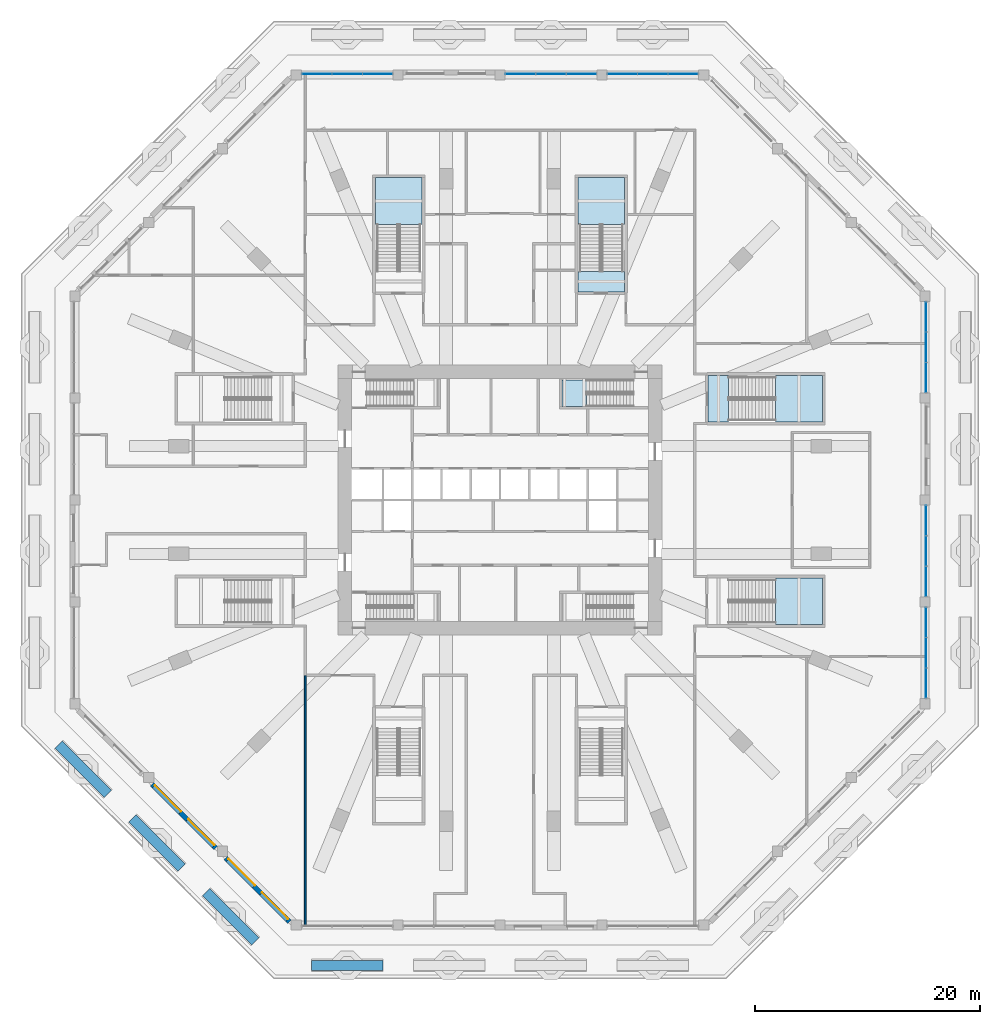
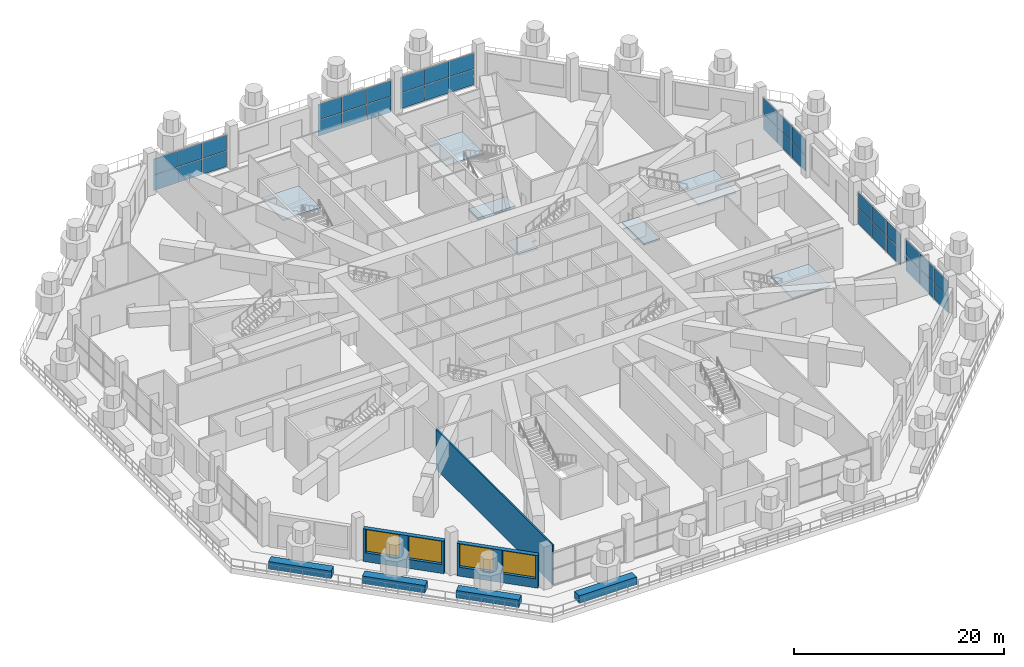
# One storey, part 13 of 25: 36 plates, 7 slabs, 7 walls, 4 windows, 4 openings, 11 elements without a shape of their own.
"""IFC4 building model written with IfcOpenShell, lengths in metres."""

from ifc_helpers import new_model, si_unit, direction, frame, frame_2d, origin, origin_2d, place, context, subcontext, project, spatial, polyline, rectangle, outline, extrude, material, layer, layer_set, type_object, element, fill, aggregate, save


model = new_model("IFC4")

# Units and contexts
model_context = context("Model", 3, precision=1e-05, world=origin(), true_north=direction((0.0, 1.0)))
body_context = subcontext(model_context, "Body", "Model", "MODEL_VIEW")
ifc_project = project(units=[si_unit("LENGTHUNIT", "METRE"), si_unit("AREAUNIT", "SQUARE_METRE"), si_unit("VOLUMEUNIT", "CUBIC_METRE"), si_unit("PLANEANGLEUNIT", "RADIAN"), si_unit("MASSUNIT", "GRAM", prefix="KILO")], contexts=[model_context])

# Site, building, storey
site_placement = place(None, origin())
site = spatial("IfcSite", under=ifc_project, at=site_placement, CompositionType="ELEMENT")
building_placement = place(site_placement, origin())
building = spatial("IfcBuilding", under=site, at=building_placement, Name="Msitu Wima Residences", CompositionType="ELEMENT")
storey_placement = place(building_placement, frame((0.0, 0.0, 11.0)))
storey = spatial("IfcBuildingStorey", under=building, at=storey_placement, Name="L02", CompositionType="ELEMENT", Elevation=11.0)

# Curtain wall, plates
ifc_material_1 = material(Name="Anodised aluminium, bronze finish, clear low-emissivity double glazing", Category="aluminium")
curtain_wall_type = type_object("IfcCurtainWallType", Name="Curtain wall CW6 podium winter garden", PredefinedType="NOTDEFINED", material=ifc_material_1)
curtain_wall_1_placement = place(storey_placement, origin())
curtain_wall_1 = element("IfcCurtainWall", 1, at=curtain_wall_1_placement, inside=storey, type_object=curtain_wall_type, Name="Curtain wall CW6 L02 E0", PredefinedType="NOTDEFINED")
ifc_material_2 = material(Name="Clear low-emissivity double glazing", Category="glass")
ifc_layer_1 = layer(ifc_material_2, 0.035888671875)
ifc_layer_set_1 = layer_set([ifc_layer_1], Name="Clear low-emissivity double glazing")
plate_type = type_object("IfcPlateType", Name="Glass panel CW6 36", PredefinedType="CURTAIN_PANEL", material=ifc_layer_set_1)
plate_1_placement = place(storey_placement, frame((37.89990234375, -16.301025390625, 0.06494140625), z_axis=(0.0, 0.0, 1.0), x_axis=(0.0, 1.0, 0.0)))
plate_1 = element("IfcPlate", 2, at=plate_1_placement, type_object=plate_type, Name="CW6 panel 1.1", PredefinedType="CURTAIN_PANEL", context=body_context, shape_type="SweptSolid", body=[
    extrude(rectangle(XDim=2.623779296875, YDim=0.035888671875, at=origin_2d()), origin(), (0.0, 0.0, 1.0), 1.802490234375),
])
plate_2_placement = place(storey_placement, frame((37.89990234375, -16.301025390625, 1.9326171875), z_axis=(0.0, 0.0, 1.0), x_axis=(0.0, 1.0, 0.0)))
plate_2 = element("IfcPlate", 3, at=plate_2_placement, type_object=plate_type, Name="CW6 panel 1.2", PredefinedType="CURTAIN_PANEL", context=body_context, shape_type="SweptSolid", body=[
    extrude(rectangle(XDim=2.623779296875, YDim=0.035888671875, at=origin_2d()), origin(), (0.0, 0.0, 1.0), 1.802490234375),
])
plate_3_placement = place(storey_placement, frame((37.89990234375, -13.595947265625, 0.06494140625), z_axis=(0.0, 0.0, 1.0), x_axis=(0.0, 1.0, 0.0)))
plate_3 = element("IfcPlate", 4, at=plate_3_placement, type_object=plate_type, Name="CW6 panel 2.1", PredefinedType="CURTAIN_PANEL", context=body_context, shape_type="SweptSolid", body=[
    extrude(rectangle(XDim=2.65625, YDim=0.035888671875, at=origin_2d()), origin(), (0.0, 0.0, 1.0), 1.802490234375),
])
plate_4_placement = place(storey_placement, frame((37.89990234375, -13.595947265625, 1.9326171875), z_axis=(0.0, 0.0, 1.0), x_axis=(0.0, 1.0, 0.0)))
plate_4 = element("IfcPlate", 5, at=plate_4_placement, type_object=plate_type, Name="CW6 panel 2.2", PredefinedType="CURTAIN_PANEL", context=body_context, shape_type="SweptSolid", body=[
    extrude(rectangle(XDim=2.65625, YDim=0.035888671875, at=origin_2d()), origin(), (0.0, 0.0, 1.0), 1.802490234375),
])
plate_5_placement = place(storey_placement, frame((37.89990234375, -10.890869140625, 0.06494140625), z_axis=(0.0, 0.0, 1.0), x_axis=(0.0, 1.0, 0.0)))
plate_5 = element("IfcPlate", 6, at=plate_5_placement, type_object=plate_type, Name="CW6 panel 3.1", PredefinedType="CURTAIN_PANEL", context=body_context, shape_type="SweptSolid", body=[
    extrude(rectangle(XDim=2.623779296875, YDim=0.035888671875, at=origin_2d()), origin(), (0.0, 0.0, 1.0), 1.802490234375),
])
plate_6_placement = place(storey_placement, frame((37.89990234375, -10.890869140625, 1.9326171875), z_axis=(0.0, 0.0, 1.0), x_axis=(0.0, 1.0, 0.0)))
plate_6 = element("IfcPlate", 7, at=plate_6_placement, type_object=plate_type, Name="CW6 panel 3.2", PredefinedType="CURTAIN_PANEL", context=body_context, shape_type="SweptSolid", body=[
    extrude(rectangle(XDim=2.623779296875, YDim=0.035888671875, at=origin_2d()), origin(), (0.0, 0.0, 1.0), 1.802490234375),
])
aggregate(curtain_wall_1, [plate_1, plate_2, plate_3, plate_4, plate_5, plate_6])

curtain_wall_2_placement = place(storey_placement, origin())
curtain_wall_2 = element("IfcCurtainWall", 8, at=curtain_wall_2_placement, inside=storey, type_object=curtain_wall_type, Name="Curtain wall CW6 L02 E1", PredefinedType="NOTDEFINED")
plate_7_placement = place(storey_placement, frame((37.89990234375, -7.237060546875, 0.06494140625), z_axis=(0.0, 0.0, 1.0), x_axis=(0.0, 1.0, 0.0)))
plate_7 = element("IfcPlate", 9, at=plate_7_placement, type_object=plate_type, Name="CW6 panel 1.1", PredefinedType="CURTAIN_PANEL", context=body_context, shape_type="SweptSolid", body=[
    extrude(rectangle(XDim=2.623779296875, YDim=0.035888671875, at=origin_2d()), origin(), (0.0, 0.0, 1.0), 1.802490234375),
])
plate_8_placement = place(storey_placement, frame((37.89990234375, -7.237060546875, 1.9326171875), z_axis=(0.0, 0.0, 1.0), x_axis=(0.0, 1.0, 0.0)))
plate_8 = element("IfcPlate", 10, at=plate_8_placement, type_object=plate_type, Name="CW6 panel 1.2", PredefinedType="CURTAIN_PANEL", context=body_context, shape_type="SweptSolid", body=[
    extrude(rectangle(XDim=2.623779296875, YDim=0.035888671875, at=origin_2d()), origin(), (0.0, 0.0, 1.0), 1.802490234375),
])
plate_9_placement = place(storey_placement, frame((37.89990234375, -4.531982421875, 0.06494140625), z_axis=(0.0, 0.0, 1.0), x_axis=(0.0, 1.0, 0.0)))
plate_9 = element("IfcPlate", 11, at=plate_9_placement, type_object=plate_type, Name="CW6 panel 2.1", PredefinedType="CURTAIN_PANEL", context=body_context, shape_type="SweptSolid", body=[
    extrude(rectangle(XDim=2.65625, YDim=0.035888671875, at=origin_2d()), origin(), (0.0, 0.0, 1.0), 1.802490234375),
])
plate_10_placement = place(storey_placement, frame((37.89990234375, -4.531982421875, 1.9326171875), z_axis=(0.0, 0.0, 1.0), x_axis=(0.0, 1.0, 0.0)))
plate_10 = element("IfcPlate", 12, at=plate_10_placement, type_object=plate_type, Name="CW6 panel 2.2", PredefinedType="CURTAIN_PANEL", context=body_context, shape_type="SweptSolid", body=[
    extrude(rectangle(XDim=2.65625, YDim=0.035888671875, at=origin_2d()), origin(), (0.0, 0.0, 1.0), 1.802490234375),
])
plate_11_placement = place(storey_placement, frame((37.89990234375, -1.826904296875, 0.06494140625), z_axis=(0.0, 0.0, 1.0), x_axis=(0.0, 1.0, 0.0)))
plate_11 = element("IfcPlate", 13, at=plate_11_placement, type_object=plate_type, Name="CW6 panel 3.1", PredefinedType="CURTAIN_PANEL", context=body_context, shape_type="SweptSolid", body=[
    extrude(rectangle(XDim=2.623779296875, YDim=0.035888671875, at=origin_2d()), origin(), (0.0, 0.0, 1.0), 1.802490234375),
])
plate_12_placement = place(storey_placement, frame((37.89990234375, -1.826904296875, 1.9326171875), z_axis=(0.0, 0.0, 1.0), x_axis=(0.0, 1.0, 0.0)))
plate_12 = element("IfcPlate", 14, at=plate_12_placement, type_object=plate_type, Name="CW6 panel 3.2", PredefinedType="CURTAIN_PANEL", context=body_context, shape_type="SweptSolid", body=[
    extrude(rectangle(XDim=2.623779296875, YDim=0.035888671875, at=origin_2d()), origin(), (0.0, 0.0, 1.0), 1.802490234375),
])
aggregate(curtain_wall_2, [plate_7, plate_8, plate_9, plate_10, plate_11, plate_12])

curtain_wall_3_placement = place(storey_placement, origin())
curtain_wall_3 = element("IfcCurtainWall", 15, at=curtain_wall_3_placement, inside=storey, type_object=curtain_wall_type, Name="Curtain wall CW6 L02 E3", PredefinedType="NOTDEFINED")
plate_13_placement = place(storey_placement, frame((37.89990234375, 10.890869140625, 0.06494140625), z_axis=(0.0, 0.0, 1.0), x_axis=(0.0, 1.0, 0.0)))
plate_13 = element("IfcPlate", 16, at=plate_13_placement, type_object=plate_type, Name="CW6 panel 1.1", PredefinedType="CURTAIN_PANEL", context=body_context, shape_type="SweptSolid", body=[
    extrude(rectangle(XDim=2.623779296875, YDim=0.035888671875, at=origin_2d()), origin(), (0.0, 0.0, 1.0), 1.802490234375),
])
plate_14_placement = place(storey_placement, frame((37.89990234375, 10.890869140625, 1.9326171875), z_axis=(0.0, 0.0, 1.0), x_axis=(0.0, 1.0, 0.0)))
plate_14 = element("IfcPlate", 17, at=plate_14_placement, type_object=plate_type, Name="CW6 panel 1.2", PredefinedType="CURTAIN_PANEL", context=body_context, shape_type="SweptSolid", body=[
    extrude(rectangle(XDim=2.623779296875, YDim=0.035888671875, at=origin_2d()), origin(), (0.0, 0.0, 1.0), 1.802490234375),
])
plate_15_placement = place(storey_placement, frame((37.89990234375, 13.595947265625, 0.06494140625), z_axis=(0.0, 0.0, 1.0), x_axis=(0.0, 1.0, 0.0)))
plate_15 = element("IfcPlate", 18, at=plate_15_placement, type_object=plate_type, Name="CW6 panel 2.1", PredefinedType="CURTAIN_PANEL", context=body_context, shape_type="SweptSolid", body=[
    extrude(rectangle(XDim=2.65625, YDim=0.035888671875, at=origin_2d()), origin(), (0.0, 0.0, 1.0), 1.802490234375),
])
plate_16_placement = place(storey_placement, frame((37.89990234375, 13.595947265625, 1.9326171875), z_axis=(0.0, 0.0, 1.0), x_axis=(0.0, 1.0, 0.0)))
plate_16 = element("IfcPlate", 19, at=plate_16_placement, type_object=plate_type, Name="CW6 panel 2.2", PredefinedType="CURTAIN_PANEL", context=body_context, shape_type="SweptSolid", body=[
    extrude(rectangle(XDim=2.65625, YDim=0.035888671875, at=origin_2d()), origin(), (0.0, 0.0, 1.0), 1.802490234375),
])
plate_17_placement = place(storey_placement, frame((37.89990234375, 16.301025390625, 0.06494140625), z_axis=(0.0, 0.0, 1.0), x_axis=(0.0, 1.0, 0.0)))
plate_17 = element("IfcPlate", 20, at=plate_17_placement, type_object=plate_type, Name="CW6 panel 3.1", PredefinedType="CURTAIN_PANEL", context=body_context, shape_type="SweptSolid", body=[
    extrude(rectangle(XDim=2.623779296875, YDim=0.035888671875, at=origin_2d()), origin(), (0.0, 0.0, 1.0), 1.802490234375),
])
plate_18_placement = place(storey_placement, frame((37.89990234375, 16.301025390625, 1.9326171875), z_axis=(0.0, 0.0, 1.0), x_axis=(0.0, 1.0, 0.0)))
plate_18 = element("IfcPlate", 21, at=plate_18_placement, type_object=plate_type, Name="CW6 panel 3.2", PredefinedType="CURTAIN_PANEL", context=body_context, shape_type="SweptSolid", body=[
    extrude(rectangle(XDim=2.623779296875, YDim=0.035888671875, at=origin_2d()), origin(), (0.0, 0.0, 1.0), 1.802490234375),
])
aggregate(curtain_wall_3, [plate_13, plate_14, plate_15, plate_16, plate_17, plate_18])

curtain_wall_4_placement = place(storey_placement, origin())
curtain_wall_4 = element("IfcCurtainWall", 22, at=curtain_wall_4_placement, inside=storey, type_object=curtain_wall_type, Name="Curtain wall CW6 L02 N0", PredefinedType="NOTDEFINED")
plate_19_placement = place(storey_placement, frame((16.301025390625, 37.89990234375, 0.06494140625), z_axis=(0.0, 0.0, 1.0), x_axis=(-1.0, 0.0, 0.0)))
plate_19 = element("IfcPlate", 23, at=plate_19_placement, type_object=plate_type, Name="CW6 panel 1.1", PredefinedType="CURTAIN_PANEL", context=body_context, shape_type="SweptSolid", body=[
    extrude(rectangle(XDim=2.623779296875, YDim=0.035888671875, at=origin_2d()), origin(), (0.0, 0.0, 1.0), 1.802490234375),
])
plate_20_placement = place(storey_placement, frame((16.301025390625, 37.89990234375, 1.9326171875), z_axis=(0.0, 0.0, 1.0), x_axis=(-1.0, 0.0, 0.0)))
plate_20 = element("IfcPlate", 24, at=plate_20_placement, type_object=plate_type, Name="CW6 panel 1.2", PredefinedType="CURTAIN_PANEL", context=body_context, shape_type="SweptSolid", body=[
    extrude(rectangle(XDim=2.623779296875, YDim=0.035888671875, at=origin_2d()), origin(), (0.0, 0.0, 1.0), 1.802490234375),
])
plate_21_placement = place(storey_placement, frame((13.595947265625, 37.89990234375, 0.06494140625), z_axis=(0.0, 0.0, 1.0), x_axis=(-1.0, 0.0, 0.0)))
plate_21 = element("IfcPlate", 25, at=plate_21_placement, type_object=plate_type, Name="CW6 panel 2.1", PredefinedType="CURTAIN_PANEL", context=body_context, shape_type="SweptSolid", body=[
    extrude(rectangle(XDim=2.65625, YDim=0.035888671875, at=origin_2d()), origin(), (0.0, 0.0, 1.0), 1.802490234375),
])
plate_22_placement = place(storey_placement, frame((13.595947265625, 37.89990234375, 1.9326171875), z_axis=(0.0, 0.0, 1.0), x_axis=(-1.0, 0.0, 0.0)))
plate_22 = element("IfcPlate", 26, at=plate_22_placement, type_object=plate_type, Name="CW6 panel 2.2", PredefinedType="CURTAIN_PANEL", context=body_context, shape_type="SweptSolid", body=[
    extrude(rectangle(XDim=2.65625, YDim=0.035888671875, at=origin_2d()), origin(), (0.0, 0.0, 1.0), 1.802490234375),
])
plate_23_placement = place(storey_placement, frame((10.890869140625, 37.89990234375, 0.06494140625), z_axis=(0.0, 0.0, 1.0), x_axis=(-1.0, 0.0, 0.0)))
plate_23 = element("IfcPlate", 27, at=plate_23_placement, type_object=plate_type, Name="CW6 panel 3.1", PredefinedType="CURTAIN_PANEL", context=body_context, shape_type="SweptSolid", body=[
    extrude(rectangle(XDim=2.623779296875, YDim=0.035888671875, at=origin_2d()), origin(), (0.0, 0.0, 1.0), 1.802490234375),
])
plate_24_placement = place(storey_placement, frame((10.890869140625, 37.89990234375, 1.9326171875), z_axis=(0.0, 0.0, 1.0), x_axis=(-1.0, 0.0, 0.0)))
plate_24 = element("IfcPlate", 28, at=plate_24_placement, type_object=plate_type, Name="CW6 panel 3.2", PredefinedType="CURTAIN_PANEL", context=body_context, shape_type="SweptSolid", body=[
    extrude(rectangle(XDim=2.623779296875, YDim=0.035888671875, at=origin_2d()), origin(), (0.0, 0.0, 1.0), 1.802490234375),
])
aggregate(curtain_wall_4, [plate_19, plate_20, plate_21, plate_22, plate_23, plate_24])

curtain_wall_5_placement = place(storey_placement, origin())
curtain_wall_5 = element("IfcCurtainWall", 29, at=curtain_wall_5_placement, inside=storey, type_object=curtain_wall_type, Name="Curtain wall CW6 L02 N1", PredefinedType="NOTDEFINED")
plate_25_placement = place(storey_placement, frame((7.237060546875, 37.89990234375, 0.06494140625), z_axis=(0.0, 0.0, 1.0), x_axis=(-1.0, 0.0, 0.0)))
plate_25 = element("IfcPlate", 30, at=plate_25_placement, type_object=plate_type, Name="CW6 panel 1.1", PredefinedType="CURTAIN_PANEL", context=body_context, shape_type="SweptSolid", body=[
    extrude(rectangle(XDim=2.623779296875, YDim=0.035888671875, at=origin_2d()), origin(), (0.0, 0.0, 1.0), 1.802490234375),
])
plate_26_placement = place(storey_placement, frame((7.237060546875, 37.89990234375, 1.9326171875), z_axis=(0.0, 0.0, 1.0), x_axis=(-1.0, 0.0, 0.0)))
plate_26 = element("IfcPlate", 31, at=plate_26_placement, type_object=plate_type, Name="CW6 panel 1.2", PredefinedType="CURTAIN_PANEL", context=body_context, shape_type="SweptSolid", body=[
    extrude(rectangle(XDim=2.623779296875, YDim=0.035888671875, at=origin_2d()), origin(), (0.0, 0.0, 1.0), 1.802490234375),
])
plate_27_placement = place(storey_placement, frame((4.531982421875, 37.89990234375, 0.06494140625), z_axis=(0.0, 0.0, 1.0), x_axis=(-1.0, 0.0, 0.0)))
plate_27 = element("IfcPlate", 32, at=plate_27_placement, type_object=plate_type, Name="CW6 panel 2.1", PredefinedType="CURTAIN_PANEL", context=body_context, shape_type="SweptSolid", body=[
    extrude(rectangle(XDim=2.65625, YDim=0.035888671875, at=origin_2d()), origin(), (0.0, 0.0, 1.0), 1.802490234375),
])
plate_28_placement = place(storey_placement, frame((4.531982421875, 37.89990234375, 1.9326171875), z_axis=(0.0, 0.0, 1.0), x_axis=(-1.0, 0.0, 0.0)))
plate_28 = element("IfcPlate", 33, at=plate_28_placement, type_object=plate_type, Name="CW6 panel 2.2", PredefinedType="CURTAIN_PANEL", context=body_context, shape_type="SweptSolid", body=[
    extrude(rectangle(XDim=2.65625, YDim=0.035888671875, at=origin_2d()), origin(), (0.0, 0.0, 1.0), 1.802490234375),
])
plate_29_placement = place(storey_placement, frame((1.826904296875, 37.89990234375, 0.06494140625), z_axis=(0.0, 0.0, 1.0), x_axis=(-1.0, 0.0, 0.0)))
plate_29 = element("IfcPlate", 34, at=plate_29_placement, type_object=plate_type, Name="CW6 panel 3.1", PredefinedType="CURTAIN_PANEL", context=body_context, shape_type="SweptSolid", body=[
    extrude(rectangle(XDim=2.623779296875, YDim=0.035888671875, at=origin_2d()), origin(), (0.0, 0.0, 1.0), 1.802490234375),
])
plate_30_placement = place(storey_placement, frame((1.826904296875, 37.89990234375, 1.9326171875), z_axis=(0.0, 0.0, 1.0), x_axis=(-1.0, 0.0, 0.0)))
plate_30 = element("IfcPlate", 35, at=plate_30_placement, type_object=plate_type, Name="CW6 panel 3.2", PredefinedType="CURTAIN_PANEL", context=body_context, shape_type="SweptSolid", body=[
    extrude(rectangle(XDim=2.623779296875, YDim=0.035888671875, at=origin_2d()), origin(), (0.0, 0.0, 1.0), 1.802490234375),
])
aggregate(curtain_wall_5, [plate_25, plate_26, plate_27, plate_28, plate_29, plate_30])

curtain_wall_6_placement = place(storey_placement, origin())
curtain_wall_6 = element("IfcCurtainWall", 36, at=curtain_wall_6_placement, inside=storey, type_object=curtain_wall_type, Name="Curtain wall CW6 L02 N3", PredefinedType="NOTDEFINED")
plate_31_placement = place(storey_placement, frame((-10.890869140625, 37.89990234375, 0.06494140625), z_axis=(0.0, 0.0, 1.0), x_axis=(-1.0, 0.0, 0.0)))
plate_31 = element("IfcPlate", 37, at=plate_31_placement, type_object=plate_type, Name="CW6 panel 1.1", PredefinedType="CURTAIN_PANEL", context=body_context, shape_type="SweptSolid", body=[
    extrude(rectangle(XDim=2.623779296875, YDim=0.035888671875, at=origin_2d()), origin(), (0.0, 0.0, 1.0), 1.802490234375),
])
plate_32_placement = place(storey_placement, frame((-10.890869140625, 37.89990234375, 1.9326171875), z_axis=(0.0, 0.0, 1.0), x_axis=(-1.0, 0.0, 0.0)))
plate_32 = element("IfcPlate", 38, at=plate_32_placement, type_object=plate_type, Name="CW6 panel 1.2", PredefinedType="CURTAIN_PANEL", context=body_context, shape_type="SweptSolid", body=[
    extrude(rectangle(XDim=2.623779296875, YDim=0.035888671875, at=origin_2d()), origin(), (0.0, 0.0, 1.0), 1.802490234375),
])
plate_33_placement = place(storey_placement, frame((-13.595947265625, 37.89990234375, 0.06494140625), z_axis=(0.0, 0.0, 1.0), x_axis=(-1.0, 0.0, 0.0)))
plate_33 = element("IfcPlate", 39, at=plate_33_placement, type_object=plate_type, Name="CW6 panel 2.1", PredefinedType="CURTAIN_PANEL", context=body_context, shape_type="SweptSolid", body=[
    extrude(rectangle(XDim=2.65625, YDim=0.035888671875, at=origin_2d()), origin(), (0.0, 0.0, 1.0), 1.802490234375),
])
plate_34_placement = place(storey_placement, frame((-13.595947265625, 37.89990234375, 1.9326171875), z_axis=(0.0, 0.0, 1.0), x_axis=(-1.0, 0.0, 0.0)))
plate_34 = element("IfcPlate", 40, at=plate_34_placement, type_object=plate_type, Name="CW6 panel 2.2", PredefinedType="CURTAIN_PANEL", context=body_context, shape_type="SweptSolid", body=[
    extrude(rectangle(XDim=2.65625, YDim=0.035888671875, at=origin_2d()), origin(), (0.0, 0.0, 1.0), 1.802490234375),
])
plate_35_placement = place(storey_placement, frame((-16.301025390625, 37.89990234375, 0.06494140625), z_axis=(0.0, 0.0, 1.0), x_axis=(-1.0, 0.0, 0.0)))
plate_35 = element("IfcPlate", 41, at=plate_35_placement, type_object=plate_type, Name="CW6 panel 3.1", PredefinedType="CURTAIN_PANEL", context=body_context, shape_type="SweptSolid", body=[
    extrude(rectangle(XDim=2.623779296875, YDim=0.035888671875, at=origin_2d()), origin(), (0.0, 0.0, 1.0), 1.802490234375),
])
plate_36_placement = place(storey_placement, frame((-16.301025390625, 37.89990234375, 1.9326171875), z_axis=(0.0, 0.0, 1.0), x_axis=(-1.0, 0.0, 0.0)))
plate_36 = element("IfcPlate", 42, at=plate_36_placement, type_object=plate_type, Name="CW6 panel 3.2", PredefinedType="CURTAIN_PANEL", context=body_context, shape_type="SweptSolid", body=[
    extrude(rectangle(XDim=2.623779296875, YDim=0.035888671875, at=origin_2d()), origin(), (0.0, 0.0, 1.0), 1.802490234375),
])
aggregate(curtain_wall_6, [plate_31, plate_32, plate_33, plate_34, plate_35, plate_36])

# Stair, slab
ifc_material_3 = material(Name="Concrete C40/50", Category="concrete")
stair_type_1 = type_object("IfcStairType", Name="Exit stair ES1667-110", PredefinedType="HALF_TURN_STAIR", material=ifc_material_3)
stair_1_placement = place(storey_placement, origin())
stair_1 = element("IfcStair", 43, at=stair_1_placement, inside=storey, type_object=stair_type_1, Name="Exit stair 3", PredefinedType="HALF_TURN_STAIR")
ifc_layer_2 = layer(ifc_material_3, 0.199951171875)
ifc_layer_set_2 = layer_set([ifc_layer_2], Name="Concrete C40/50")
slab_type = type_object("IfcSlabType", Name="Stair landing SL200", PredefinedType="LANDING", material=ifc_layer_set_2)
slab_1_placement = place(storey_placement, frame((0.0, 0.0, 2.300048828125)))
slab_1 = element("IfcSlab", 44, at=slab_1_placement, type_object=slab_type, Name="S3 landing 1", PredefinedType="LANDING", context=body_context, shape_type="SweptSolid", body=[
    extrude(outline(polyline([(5.52490234375, 8.324951171875), (7.675537109375, 8.324951171875), (7.675537109375, 9.5), (8.175048828125, 9.5), (8.175048828125, 10.675048828125), (5.52490234375, 10.675048828125), (5.52490234375, 8.324951171875)])), origin(), (0.0, 0.0, 1.0), 0.199951171875),
])
aggregate(stair_1, [slab_1])

stair_type_2 = type_object("IfcStairType", Name="Podium exit stair PX1667-190", PredefinedType="HALF_TURN_STAIR", material=ifc_material_3)
stair_2_placement = place(storey_placement, origin())
stair_2 = element("IfcStair", 45, at=stair_2_placement, inside=storey, type_object=stair_type_2, Name="Podium exit stair 1", PredefinedType="HALF_TURN_STAIR")
slab_2_placement = place(storey_placement, frame((0.0, 0.0, 2.300048828125)))
slab_2 = element("IfcSlab", 46, at=slab_2_placement, type_object=slab_type, Name="PS1 landing 1", PredefinedType="LANDING", context=body_context, shape_type="SweptSolid", body=[
    extrude(outline(polyline([(24.52490234375, 6.925048828125), (28.675048828125, 6.925048828125), (28.675048828125, 11.074951171875), (24.52490234375, 11.074951171875), (24.52490234375, 6.925048828125)])), origin(), (0.0, 0.0, 1.0), 0.199951171875),
])
aggregate(stair_2, [slab_2])

# Slab
slab_3_placement = place(storey_placement, frame((0.0, 0.0, -0.199951171875)))
element("IfcSlab", 47, at=slab_3_placement, inside=storey, type_object=slab_type, Name="Podium exit stair 1 floor landing", PredefinedType="LANDING", context=body_context, shape_type="SweptSolid", body=[
    extrude(outline(polyline([(18.52490234375, 6.925048828125), (20.324951171875, 6.925048828125), (20.324951171875, 11.074951171875), (18.52490234375, 11.074951171875), (18.52490234375, 6.925048828125)])), origin(), (0.0, 0.0, 1.0), 0.199951171875),
])

# Stair, slab
stair_3_placement = place(storey_placement, origin())
stair_3 = element("IfcStair", 48, at=stair_3_placement, inside=storey, type_object=stair_type_2, Name="Podium exit stair 2", PredefinedType="HALF_TURN_STAIR")
slab_4_placement = place(storey_placement, frame((0.0, 0.0, 2.300048828125)))
slab_4 = element("IfcSlab", 49, at=slab_4_placement, type_object=slab_type, Name="PS2 landing 1", PredefinedType="LANDING", context=body_context, shape_type="SweptSolid", body=[
    extrude(outline(polyline([(24.52490234375, -6.925048828125), (28.675048828125, -6.925048828125), (28.675048828125, -11.074951171875), (24.52490234375, -11.074951171875), (24.52490234375, -6.925048828125)])), origin(), (0.0, 0.0, 1.0), 0.199951171875),
])
aggregate(stair_3, [slab_4])

stair_4_placement = place(storey_placement, origin())
stair_4 = element("IfcStair", 50, at=stair_4_placement, inside=storey, type_object=stair_type_2, Name="Podium exit stair 3", PredefinedType="HALF_TURN_STAIR")
slab_5_placement = place(storey_placement, frame((0.0, 0.0, 2.300048828125)))
slab_5 = element("IfcSlab", 51, at=slab_5_placement, type_object=slab_type, Name="PS3 landing 1", PredefinedType="LANDING", context=body_context, shape_type="SweptSolid", body=[
    extrude(outline(polyline([(-6.925048828125, 24.52490234375), (-6.925048828125, 28.675048828125), (-11.074951171875, 28.675048828125), (-11.074951171875, 24.52490234375), (-6.925048828125, 24.52490234375)])), origin(), (0.0, 0.0, 1.0), 0.199951171875),
])
aggregate(stair_4, [slab_5])

stair_5_placement = place(storey_placement, origin())
stair_5 = element("IfcStair", 52, at=stair_5_placement, inside=storey, type_object=stair_type_2, Name="Podium exit stair 4", PredefinedType="HALF_TURN_STAIR")
slab_6_placement = place(storey_placement, frame((0.0, 0.0, 2.300048828125)))
slab_6 = element("IfcSlab", 53, at=slab_6_placement, type_object=slab_type, Name="PS4 landing 1", PredefinedType="LANDING", context=body_context, shape_type="SweptSolid", body=[
    extrude(outline(polyline([(6.925048828125, 24.52490234375), (6.925048828125, 28.675048828125), (11.074951171875, 28.675048828125), (11.074951171875, 24.52490234375), (6.925048828125, 24.52490234375)])), origin(), (0.0, 0.0, 1.0), 0.199951171875),
])
aggregate(stair_5, [slab_6])

# Slab
slab_7_placement = place(storey_placement, frame((0.0, 0.0, -0.199951171875)))
element("IfcSlab", 54, at=slab_7_placement, inside=storey, type_object=slab_type, Name="Podium exit stair 4 floor landing", PredefinedType="LANDING", context=body_context, shape_type="SweptSolid", body=[
    extrude(outline(polyline([(6.925048828125, 18.52490234375), (6.925048828125, 20.324951171875), (11.074951171875, 20.324951171875), (11.074951171875, 18.52490234375), (6.925048828125, 18.52490234375)])), origin(), (0.0, 0.0, 1.0), 0.199951171875),
])

# Wall, openings, windows
ifc_material_4 = material(Name="Brick (red buff mix), cavity wall of two leaves", Category="masonry")
ifc_layer_3 = layer(ifc_material_4, 0.449951171875)
ifc_layer_set_3 = layer_set([ifc_layer_3], Name="Brick (red buff mix), cavity wall of two leaves")
wall_type_1 = type_object("IfcWallType", Name="Brick infill wall BW450 podium", PredefinedType="ELEMENTEDWALL", material=ifc_layer_set_3)
wall_1_placement = place(storey_placement, frame((-30.95166015625, -25.29443359375, 0.0), z_axis=(0.0, 0.0, 1.0), x_axis=(0.707106781187, -0.707106781187, 0.0)))
wall_1 = element("IfcWall", 55, at=wall_1_placement, inside=storey, type_object=wall_type_1, Name="Brick infill wall L02 SW1", PredefinedType="ELEMENTEDWALL", context=body_context, shape_type="SweptSolid", body=[
    extrude(rectangle(XDim=8.00048828125, YDim=0.449951171875, at=frame_2d((4.000244140625, 0.0))), origin(), (0.0, 0.0, 1.0), 3.800048828125),
])
opening_1_placement = place(wall_1_placement, frame((0.250244140625, 0.0, 1.050048828125)))
opening_1 = element("IfcOpeningElement", 56, at=opening_1_placement, cuts=wall_1, Name="Opening W02.022", PredefinedType="OPENING", context=body_context, shape_type="SweptSolid", body=[
    extrude(rectangle(XDim=3.300048828125, YDim=2.699951171875, at=frame_2d((1.64990234375, 1.35009765625))), frame((0.0, 0.23486328125, 0.0), z_axis=(0.0, -1.0, 0.0), x_axis=(1.0, 0.0, 0.0)), (0.0, 0.0, 1.0), 0.469970703125),
])
opening_2_placement = place(wall_1_placement, frame((4.450439453125, 0.0, 1.050048828125)))
opening_2 = element("IfcOpeningElement", 57, at=opening_2_placement, cuts=wall_1, Name="Opening W02.023", PredefinedType="OPENING", context=body_context, shape_type="SweptSolid", body=[
    extrude(rectangle(XDim=3.300048828125, YDim=2.699951171875, at=frame_2d((1.64990234375, 1.35009765625))), frame((0.0, 0.23486328125, 0.0), z_axis=(0.0, -1.0, 0.0), x_axis=(1.0, 0.0, 0.0)), (0.0, 0.0, 1.0), 0.469970703125),
])
window_type = type_object("IfcWindowType", Name="Window W3300x2700", PartitioningType="DOUBLE_PANEL_VERTICAL", PredefinedType="WINDOW", material=ifc_material_1)
window_1_placement = place(opening_1_placement, origin())
window_1 = element("IfcWindow", 58, at=window_1_placement, inside=storey, type_object=window_type, Name="Window L02 SW1.1", OverallHeight=2.699951171875, OverallWidth=3.300048828125, PartitioningType="SINGLE_PANEL", PredefinedType="WINDOW", context=body_context, shape_type="SweptSolid", body=[
    extrude(rectangle(XDim=3.300048828125, YDim=2.699951171875, at=frame_2d((1.64990234375, 1.35009765625))), frame((0.0, 0.135009765625, 0.0), z_axis=(0.0, -1.0, 0.0), x_axis=(1.0, 0.0, 0.0)), (0.0, 0.0, 1.0), 0.06005859375),
])
fill(opening_1, window_1)
window_2_placement = place(opening_2_placement, origin())
window_2 = element("IfcWindow", 59, at=window_2_placement, inside=storey, type_object=window_type, Name="Window L02 SW1.2", OverallHeight=2.699951171875, OverallWidth=3.300048828125, PartitioningType="SINGLE_PANEL", PredefinedType="WINDOW", context=body_context, shape_type="SweptSolid", body=[
    extrude(rectangle(XDim=3.300048828125, YDim=2.699951171875, at=frame_2d((1.64990234375, 1.35009765625))), frame((0.0, 0.135009765625, 0.0), z_axis=(0.0, -1.0, 0.0), x_axis=(1.0, 0.0, 0.0)), (0.0, 0.0, 1.0), 0.06005859375),
])
fill(opening_2, window_2)

wall_2_placement = place(storey_placement, frame((-24.394287109375, -31.851806640625, 0.0), z_axis=(0.0, 0.0, 1.0), x_axis=(0.707106781187, -0.707106781187, 0.0)))
wall_2 = element("IfcWall", 60, at=wall_2_placement, inside=storey, type_object=wall_type_1, Name="Brick infill wall L02 SW2", PredefinedType="ELEMENTEDWALL", context=body_context, shape_type="SweptSolid", body=[
    extrude(rectangle(XDim=8.00048828125, YDim=0.449951171875, at=frame_2d((4.000244140625, 0.0))), origin(), (0.0, 0.0, 1.0), 3.800048828125),
])
opening_3_placement = place(wall_2_placement, frame((0.250244140625, 0.0, 1.050048828125)))
opening_3 = element("IfcOpeningElement", 61, at=opening_3_placement, cuts=wall_2, Name="Opening W02.024", PredefinedType="OPENING", context=body_context, shape_type="SweptSolid", body=[
    extrude(rectangle(XDim=3.300048828125, YDim=2.699951171875, at=frame_2d((1.64990234375, 1.35009765625))), frame((0.0, 0.23486328125, 0.0), z_axis=(0.0, -1.0, 0.0), x_axis=(1.0, 0.0, 0.0)), (0.0, 0.0, 1.0), 0.469970703125),
])
opening_4_placement = place(wall_2_placement, frame((4.450439453125, 0.0, 1.050048828125)))
opening_4 = element("IfcOpeningElement", 62, at=opening_4_placement, cuts=wall_2, Name="Opening W02.025", PredefinedType="OPENING", context=body_context, shape_type="SweptSolid", body=[
    extrude(rectangle(XDim=3.300048828125, YDim=2.699951171875, at=frame_2d((1.64990234375, 1.35009765625))), frame((0.0, 0.23486328125, 0.0), z_axis=(0.0, -1.0, 0.0), x_axis=(1.0, 0.0, 0.0)), (0.0, 0.0, 1.0), 0.469970703125),
])
window_3_placement = place(opening_3_placement, origin())
window_3 = element("IfcWindow", 63, at=window_3_placement, inside=storey, type_object=window_type, Name="Window L02 SW2.1", OverallHeight=2.699951171875, OverallWidth=3.300048828125, PartitioningType="SINGLE_PANEL", PredefinedType="WINDOW", context=body_context, shape_type="SweptSolid", body=[
    extrude(rectangle(XDim=3.300048828125, YDim=2.699951171875, at=frame_2d((1.64990234375, 1.35009765625))), frame((0.0, 0.135009765625, 0.0), z_axis=(0.0, -1.0, 0.0), x_axis=(1.0, 0.0, 0.0)), (0.0, 0.0, 1.0), 0.06005859375),
])
fill(opening_3, window_3)
window_4_placement = place(opening_4_placement, origin())
window_4 = element("IfcWindow", 64, at=window_4_placement, inside=storey, type_object=window_type, Name="Window L02 SW2.2", OverallHeight=2.699951171875, OverallWidth=3.300048828125, PartitioningType="SINGLE_PANEL", PredefinedType="WINDOW", context=body_context, shape_type="SweptSolid", body=[
    extrude(rectangle(XDim=3.300048828125, YDim=2.699951171875, at=frame_2d((1.64990234375, 1.35009765625))), frame((0.0, 0.135009765625, 0.0), z_axis=(0.0, -1.0, 0.0), x_axis=(1.0, 0.0, 0.0)), (0.0, 0.0, 1.0), 0.06005859375),
])
fill(opening_4, window_4)

# Walls
ifc_material_5 = material(Name="Plaster")
ifc_layer_4 = layer(ifc_material_5, 0.011962890625, Name="Plaster")
ifc_material_6 = material(Name="Concrete blockwork", Category="masonry")
ifc_layer_5 = layer(ifc_material_6, 0.1259765625, Name="Concrete blockwork")
ifc_layer_6 = layer(ifc_material_5, 0.011962890625, Name="Plaster")
ifc_layer_set_4 = layer_set([ifc_layer_4, ifc_layer_5, ifc_layer_6], Name="Concrete blockwork")
wall_type_2 = type_object("IfcWallType", Name="Partition PW150", PredefinedType="PARTITIONING", material=ifc_layer_set_4)
wall_3_placement = place(storey_placement, frame((-17.327880859375, -37.85498046875, 0.0), z_axis=(0.0, 0.0, 1.0), x_axis=(0.0, 1.0, 0.0)))
element("IfcWall", 65, at=wall_3_placement, inside=storey, type_object=wall_type_2, Name="Partition", PredefinedType="PARTITIONING", context=body_context, shape_type="SweptSolid", body=[
    extrude(rectangle(XDim=22.2548828125, YDim=0.14990234375, at=frame_2d((11.12744140625, 0.0))), origin(), (0.0, 0.0, 1.0), 4.64990234375),
])
ifc_material_7 = material(Name="Facing brick")
ifc_layer_7 = layer(ifc_material_7, 0.06494140625, Name="Facing brick")
ifc_layer_8 = layer(ifc_material_3, 0.381103515625, Name="Concrete C40/50")
ifc_material_8 = material(Name="Waterproofing membrane")
ifc_layer_9 = layer(ifc_material_8, 0.00390625, Name="Waterproofing membrane")
ifc_material_9 = material(Name="Planting soil and planting")
ifc_layer_10 = layer(ifc_material_9, 0.449951171875, Name="Planting soil and planting")
ifc_layer_set_5 = layer_set([ifc_layer_7, ifc_layer_8, ifc_layer_9, ifc_layer_10], Name="Concrete C40/50")
wall_type_3 = type_object("IfcWallType", Name="Terrace planter PLANTER PL900", PredefinedType="USERDEFINED", material=ifc_layer_set_5)
wall_4_placement = place(storey_placement, frame((-39.25927734375, -21.760009765625, 0.0), z_axis=(0.0, 0.0, 1.0), x_axis=(0.707126467061, -0.707087094764, 0.0)))
element("IfcWall", 66, at=wall_4_placement, inside=storey, type_object=wall_type_3, Name="Terrace planter L02 SW0", ObjectType="PLANTER", PredefinedType="USERDEFINED", context=body_context, shape_type="SweptSolid", body=[
    extrude(rectangle(XDim=6.200927734375, YDim=0.89990234375, at=frame_2d((3.1005859375, 0.0))), origin(), (0.0, 0.0, 1.0), 0.89990234375),
])
wall_5_placement = place(storey_placement, frame((-32.701904296875, -28.3173828125, 0.0), z_axis=(0.0, 0.0, 1.0), x_axis=(0.707106781187, -0.707106781187, 0.0)))
element("IfcWall", 67, at=wall_5_placement, inside=storey, type_object=wall_type_3, Name="Terrace planter L02 SW1", ObjectType="PLANTER", PredefinedType="USERDEFINED", context=body_context, shape_type="SweptSolid", body=[
    extrude(rectangle(XDim=6.20068359375, YDim=0.89990234375, at=frame_2d((3.100341796875, 0.0))), origin(), (0.0, 0.0, 1.0), 0.89990234375),
])
wall_6_placement = place(storey_placement, frame((-26.14453125, -34.87451171875, 0.0), z_axis=(0.0, 0.0, 1.0), x_axis=(0.707087094764, -0.707126467061, 0.0)))
element("IfcWall", 68, at=wall_6_placement, inside=storey, type_object=wall_type_3, Name="Terrace planter L02 SW2", ObjectType="PLANTER", PredefinedType="USERDEFINED", context=body_context, shape_type="SweptSolid", body=[
    extrude(rectangle(XDim=6.200927734375, YDim=0.89990234375, at=frame_2d((3.1005859375, 0.0))), origin(), (0.0, 0.0, 1.0), 0.89990234375),
])
wall_7_placement = place(storey_placement, frame((-16.77783203125, -41.39990234375, 0.0), z_axis=(0.0, 0.0, 1.0), x_axis=(1.0, 0.0, 0.0)))
element("IfcWall", 69, at=wall_7_placement, inside=storey, type_object=wall_type_3, Name="Terrace planter L02 S0", ObjectType="PLANTER", PredefinedType="USERDEFINED", context=body_context, shape_type="SweptSolid", body=[
    extrude(rectangle(XDim=6.36376953125, YDim=0.89990234375, at=frame_2d((3.181884765625, 0.0))), origin(), (0.0, 0.0, 1.0), 0.89990234375),
])

save(model, "model.ifc")
